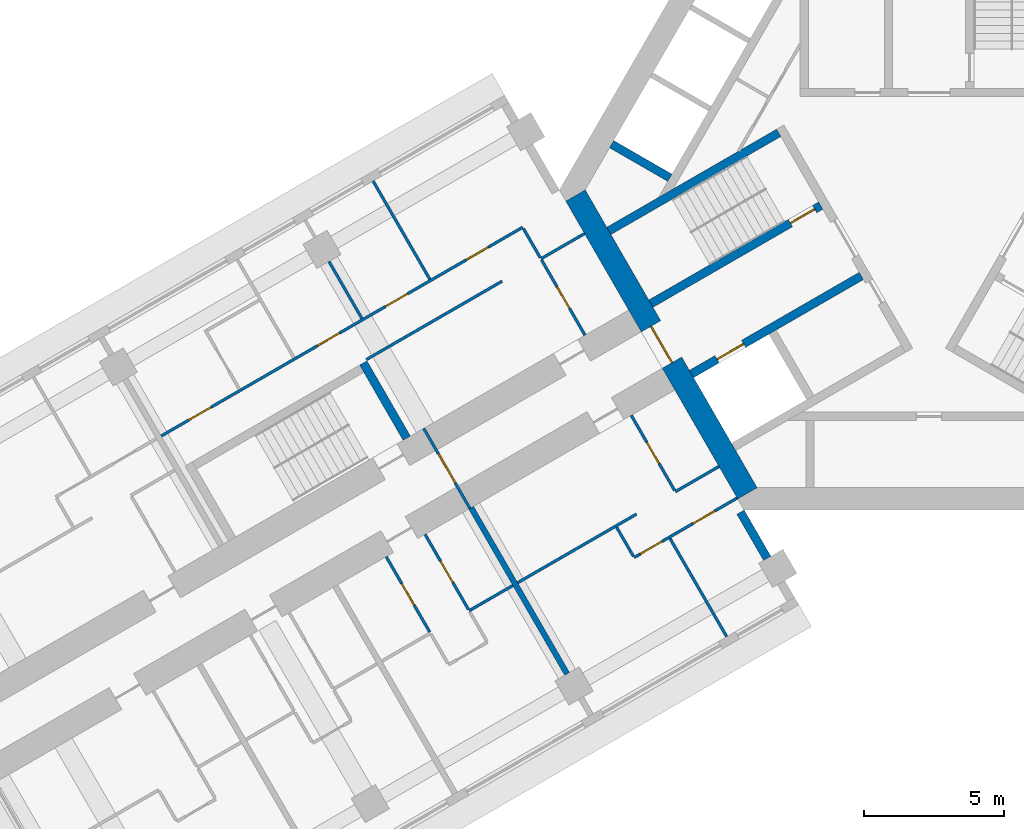
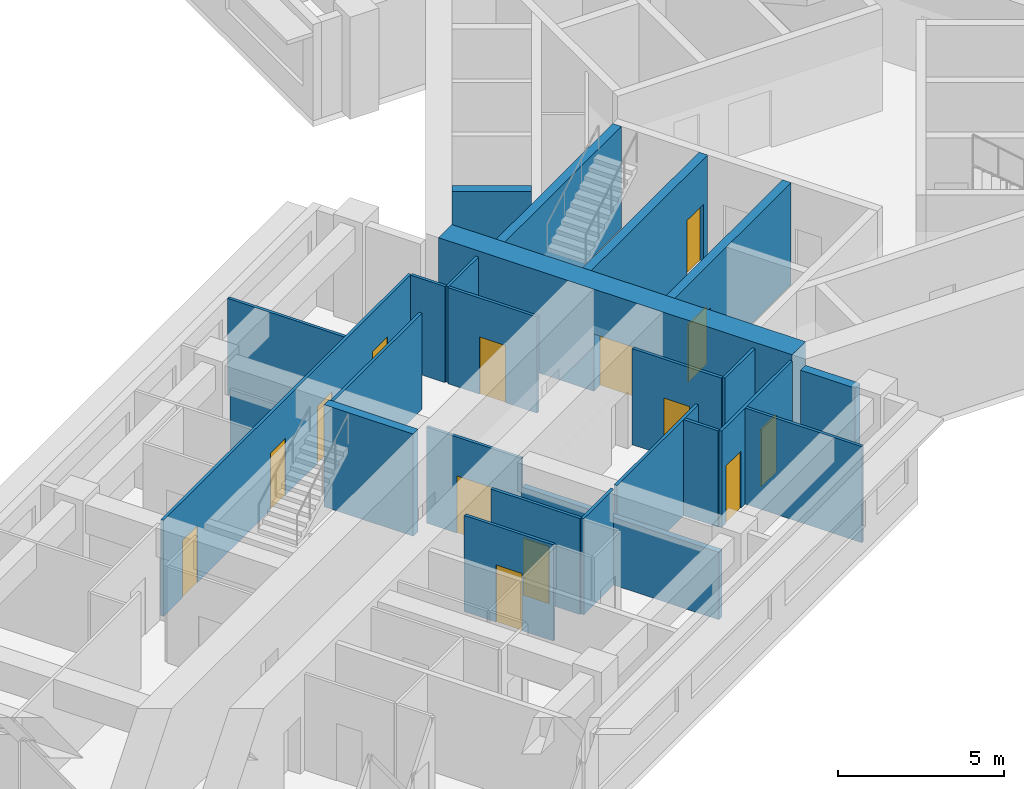
# One storey, part 4 of 13: 25 walls, 14 doors, 14 openings.
"""IFC4 building model written with IfcOpenShell, lengths in metres."""

from ifc_helpers import new_model, si_unit, direction, frame, frame_2d, origin, place, context, subcontext, project, spatial, rectangle, extrude, material, layer, layer_set, type_object, element, fill, save


model = new_model("IFC4")

# Units and contexts
model_context = context("Model", 3, precision=1e-05, world=origin(), true_north=direction((0.0, 1.0)))
body_context = subcontext(model_context, "Body", "Model", "MODEL_VIEW")
ifc_project = project(units=[si_unit("LENGTHUNIT", "METRE"), si_unit("AREAUNIT", "SQUARE_METRE"), si_unit("VOLUMEUNIT", "CUBIC_METRE"), si_unit("PLANEANGLEUNIT", "RADIAN"), si_unit("MASSUNIT", "GRAM", prefix="KILO")], contexts=[model_context])

# Site, building, storey
site_placement = place(None, origin())
site = spatial("IfcSite", under=ifc_project, at=site_placement, CompositionType="ELEMENT")
building_placement = place(site_placement, origin())
building = spatial("IfcBuilding", under=site, at=building_placement, Name="Impinga Residences", CompositionType="ELEMENT")
storey_placement = place(building_placement, frame((0.0, 0.0, 139.75)))
storey = spatial("IfcBuildingStorey", under=building, at=storey_placement, Name="L34", CompositionType="ELEMENT", Elevation=139.75)

# Wall, opening, door
ifc_material_1 = material(Name="Concrete blockwork", Category="masonry")
ifc_layer_1 = layer(ifc_material_1, 0.10009765625)
ifc_layer_set_1 = layer_set([ifc_layer_1], Name="CP1 core room partition, blockwork 100")
wall_type_1 = type_object("IfcWallType", Name="CP1 core room partition, blockwork 100", PredefinedType="PARTITIONING", material=ifc_layer_set_1)
wall_1_placement = place(storey_placement, frame((-16.393310546875, -11.369873046875, 0.0), z_axis=(0.0, 0.0, 1.0), x_axis=(-0.499974350878, 0.866040211805, 0.0)))
wall_1 = element("IfcWall", 1, at=wall_1_placement, inside=storey, type_object=wall_type_1, Name="Core room partition, blockwork L34:W:SCR", PredefinedType="PARTITIONING", context=body_context, shape_type="SweptSolid", body=[
    extrude(rectangle(XDim=3.300048828125, YDim=0.10009765625, at=frame_2d((1.64990234375, 0.0))), origin(), (0.0, 0.0, 1.0), 3.530029296875),
])
opening_1_placement = place(wall_1_placement, frame((1.050048828125, 0.0, 0.0)))
opening_1 = element("IfcOpeningElement", 2, at=opening_1_placement, cuts=wall_1, Name="Opening D3", PredefinedType="OPENING", context=body_context, shape_type="SweptSolid", body=[
    extrude(rectangle(XDim=1.199951171875, YDim=2.10009765625, at=frame_2d((0.60009765625, 1.050048828125))), frame((0.0, 0.06005859375, 0.0), z_axis=(0.0, -1.0, 0.0), x_axis=(1.0, 0.0, 0.0)), (0.0, 0.0, 1.0), 0.1201171875),
])
ifc_material_2 = material(Name="Timber door set", Category="wood")
door_type_1 = type_object("IfcDoorType", Name="D3 room door, leaf and a half 1200x2100", OperationType="DOUBLE_SWING_LEFT", PredefinedType="DOOR", material=ifc_material_2)
door_1_placement = place(opening_1_placement, origin())
door_1 = element("IfcDoor", 3, at=door_1_placement, inside=storey, type_object=door_type_1, Name="Corridor smoke door W", OperationType="DOUBLE_SWING_LEFT", OverallHeight=2.10009765625, OverallWidth=1.199951171875, PredefinedType="DOOR", context=body_context, shape_type="SweptSolid", body=[
    extrude(rectangle(XDim=1.199951171875, YDim=2.10009765625, at=frame_2d((0.60009765625, 1.050048828125))), frame((0.0, 0.02490234375, 0.0), z_axis=(0.0, -1.0, 0.0), x_axis=(1.0, 0.0, 0.0)), (0.0, 0.0, 1.0), 0.050048828125),
])
fill(opening_1, door_1)

# Walls
ifc_material_3 = material(Name="Terracotta rainscreen on blockwork", Category="masonry")
ifc_layer_2 = layer(ifc_material_3, 0.300048828125)
ifc_layer_set_2 = layer_set([ifc_layer_2], Name="EW1 external wall, terracotta rainscreen on blockwork 300")
wall_type_2 = type_object("IfcWallType", Name="EW1 external wall, terracotta rainscreen on blockwork 300", PredefinedType="SOLIDWALL", material=ifc_layer_set_2)
wall_2_placement = place(storey_placement, frame((-6.72998046875, -11.506591796875, 0.0), z_axis=(0.0, 0.0, 1.0), x_axis=(0.500063520245, -0.865988727248, 0.0)))
element("IfcWall", 4, at=wall_2_placement, inside=storey, type_object=wall_type_2, Name="External wall EW1 L34", PredefinedType="SOLIDWALL", context=body_context, shape_type="SweptSolid", body=[
    extrude(rectangle(XDim=1.900146484375, YDim=0.300048828125, at=frame_2d((0.9501953125, 0.0))), origin(), (0.0, 0.0, 1.0), 3.530029296875),
])
ifc_material_4 = material(Name="Gypsum board on steel studs", Category="steel")
ifc_layer_3 = layer(ifc_material_4, 0.10009765625)
ifc_layer_set_3 = layer_set([ifc_layer_3], Name="Gypsum board on steel studs")
wall_type_3 = type_object("IfcWallType", Name="IP1 partition 100", PredefinedType="PARTITIONING", material=ifc_layer_set_3)
wall_3_placement = place(storey_placement, frame((-7.5, -9.872802734375, 0.0), z_axis=(0.0, 0.0, 1.0), x_axis=(-0.866047807691, -0.499961193289, 0.0)))
element("IfcWall", 5, at=wall_3_placement, inside=storey, type_object=wall_type_3, Name="Partition L34-WA1:DIV0", PredefinedType="PARTITIONING", context=body_context, shape_type="SweptSolid", body=[
    extrude(rectangle(XDim=1.800048828125, YDim=0.10009765625, at=frame_2d((0.89990234375, 0.0))), origin(), (0.0, 0.0, 1.0), 3.530029296875),
])
wall_4_placement = place(storey_placement, frame((-10.444580078125, -11.57275390625, 0.0), z_axis=(0.0, 0.0, 1.0), x_axis=(-0.866023786258, -0.500002801628, 0.0)))
element("IfcWall", 6, at=wall_4_placement, inside=storey, type_object=wall_type_3, Name="Partition L34-WA1:DIV1", PredefinedType="PARTITIONING", context=body_context, shape_type="SweptSolid", body=[
    extrude(rectangle(XDim=4.89990234375, YDim=0.10009765625, at=frame_2d((2.449951171875, 0.0))), origin(), (0.0, 0.0, 1.0), 3.530029296875),
])

# Wall, openings, doors
wall_5_placement = place(storey_placement, frame((-6.85009765625, -10.99853515625, 0.0), z_axis=(0.0, 0.0, 1.0), x_axis=(-0.866014341725, -0.50001915956, 0.0)))
wall_5 = element("IfcWall", 7, at=wall_5_placement, inside=storey, type_object=wall_type_3, Name="Partition L34-WA1:STRIP", PredefinedType="PARTITIONING", context=body_context, shape_type="SweptSolid", body=[
    extrude(rectangle(XDim=4.249755859375, YDim=0.10009765625, at=frame_2d((2.125, 0.0))), origin(), (0.0, 0.0, 1.0), 3.530029296875),
])
opening_2_placement = place(wall_5_placement, frame((0.925048828125, 0.0, 0.0)))
opening_2 = element("IfcOpeningElement", 8, at=opening_2_placement, cuts=wall_5, Name="Opening D2", PredefinedType="OPENING", context=body_context, shape_type="SweptSolid", body=[
    extrude(rectangle(XDim=0.89990234375, YDim=2.10009765625, at=frame_2d((0.449951171875, 1.050048828125))), frame((0.0, 0.06005859375, 0.0), z_axis=(0.0, -1.0, 0.0), x_axis=(1.0, 0.0, 0.0)), (0.0, 0.0, 1.0), 0.1201171875),
])
opening_3_placement = place(wall_5_placement, frame((3.10009765625, 0.0, 0.0)))
opening_3 = element("IfcOpeningElement", 9, at=opening_3_placement, cuts=wall_5, Name="Opening D2", PredefinedType="OPENING", context=body_context, shape_type="SweptSolid", body=[
    extrude(rectangle(XDim=0.89990234375, YDim=2.10009765625, at=frame_2d((0.449951171875, 1.050048828125))), frame((0.0, 0.06005859375, 0.0), z_axis=(0.0, -1.0, 0.0), x_axis=(1.0, 0.0, 0.0)), (0.0, 0.0, 1.0), 0.1201171875),
])
door_type_2 = type_object("IfcDoorType", Name="D2 internal door 900x2100", OperationType="SINGLE_SWING_LEFT", PredefinedType="DOOR", material=ifc_material_2)
door_2_placement = place(opening_2_placement, origin())
door_2 = element("IfcDoor", 10, at=door_2_placement, inside=storey, type_object=door_type_2, Name="Apartment L34-WA1 room door", OperationType="SINGLE_SWING_LEFT", OverallHeight=2.10009765625, OverallWidth=0.89990234375, PredefinedType="DOOR", context=body_context, shape_type="SweptSolid", body=[
    extrude(rectangle(XDim=0.89990234375, YDim=2.10009765625, at=frame_2d((0.449951171875, 1.050048828125))), frame((0.0, 0.02490234375, 0.0), z_axis=(0.0, -1.0, 0.0), x_axis=(1.0, 0.0, 0.0)), (0.0, 0.0, 1.0), 0.050048828125),
])
fill(opening_2, door_2)
door_3_placement = place(opening_3_placement, origin())
door_3 = element("IfcDoor", 11, at=door_3_placement, inside=storey, type_object=door_type_2, Name="Apartment L34-WA1 room door", OperationType="SINGLE_SWING_RIGHT", OverallHeight=2.10009765625, OverallWidth=0.89990234375, PredefinedType="DOOR", context=body_context, shape_type="SweptSolid", body=[
    extrude(rectangle(XDim=0.89990234375, YDim=2.10009765625, at=frame_2d((0.449951171875, 1.050048828125))), frame((0.0, 0.02490234375, 0.0), z_axis=(0.0, -1.0, 0.0), x_axis=(1.0, 0.0, 0.0)), (0.0, 0.0, 1.0), 0.050048828125),
])
fill(opening_3, door_3)

# Wall
wall_6_placement = place(storey_placement, frame((-11.155517578125, -12.041015625, 0.0), z_axis=(0.0, 0.0, 1.0), x_axis=(0.499880961361, -0.866094119867, 0.0)))
element("IfcWall", 12, at=wall_6_placement, inside=storey, type_object=wall_type_3, Name="Partition L34-WA1:SE1", PredefinedType="PARTITIONING", context=body_context, shape_type="SweptSolid", body=[
    extrude(rectangle(XDim=1.199951171875, YDim=0.10009765625, at=frame_2d((0.60009765625, 0.0))), origin(), (0.0, 0.0, 1.0), 3.530029296875),
])

# Wall, opening, door
wall_7_placement = place(storey_placement, frame((-10.6337890625, -8.044677734375, 0.0), z_axis=(0.0, 0.0, 1.0), x_axis=(0.49999285859, -0.86602952684, 0.0)))
wall_7 = element("IfcWall", 13, at=wall_7_placement, inside=storey, type_object=wall_type_3, Name="Partition L34-WA1:IB1", PredefinedType="PARTITIONING", context=body_context, shape_type="SweptSolid", body=[
    extrude(rectangle(XDim=3.10009765625, YDim=0.10009765625, at=frame_2d((1.550048828125, 0.0))), origin(), (0.0, 0.0, 1.0), 3.530029296875),
])
opening_4_placement = place(wall_7_placement, frame((1.10009765625, 0.0, 0.0)))
opening_4 = element("IfcOpeningElement", 14, at=opening_4_placement, cuts=wall_7, Name="Opening D2", PredefinedType="OPENING", context=body_context, shape_type="SweptSolid", body=[
    extrude(rectangle(XDim=0.89990234375, YDim=2.10009765625, at=frame_2d((0.449951171875, 1.050048828125))), frame((0.0, 0.06005859375, 0.0), z_axis=(0.0, -1.0, 0.0), x_axis=(1.0, 0.0, 0.0)), (0.0, 0.0, 1.0), 0.1201171875),
])
door_4_placement = place(opening_4_placement, origin())
door_4 = element("IfcDoor", 15, at=door_4_placement, inside=storey, type_object=door_type_2, Name="Apartment L34-WA1 bathroom door", OperationType="SINGLE_SWING_LEFT", OverallHeight=2.10009765625, OverallWidth=0.89990234375, PredefinedType="DOOR", context=body_context, shape_type="SweptSolid", body=[
    extrude(rectangle(XDim=0.89990234375, YDim=2.10009765625, at=frame_2d((0.449951171875, 1.050048828125))), frame((0.0, 0.02490234375, 0.0), z_axis=(0.0, -1.0, 0.0), x_axis=(1.0, 0.0, 0.0)), (0.0, 0.0, 1.0), 0.050048828125),
])
fill(opening_4, door_4)

# Walls
wall_8_placement = place(storey_placement, frame((-9.249755859375, -12.44189453125, 0.0), z_axis=(0.0, 0.0, 1.0), x_axis=(0.499990325971, -0.866030989016, 0.0)))
element("IfcWall", 16, at=wall_8_placement, inside=storey, type_object=wall_type_3, Name="Partition L34-WA1:OB1", PredefinedType="PARTITIONING", context=body_context, shape_type="SweptSolid", body=[
    extrude(rectangle(XDim=4.0498046875, YDim=0.10009765625, at=frame_2d((2.02490234375, 0.0))), origin(), (0.0, 0.0, 1.0), 3.530029296875),
])
wall_9_placement = place(storey_placement, frame((-14.861328125, -14.122802734375, 0.0), z_axis=(0.0, 0.0, 1.0), x_axis=(-0.866047807691, -0.499961193289, 0.0)))
element("IfcWall", 17, at=wall_9_placement, inside=storey, type_object=wall_type_3, Name="Partition L34-WA2:DIV0", PredefinedType="PARTITIONING", context=body_context, shape_type="SweptSolid", body=[
    extrude(rectangle(XDim=1.800048828125, YDim=0.10009765625, at=frame_2d((0.89990234375, 0.0))), origin(), (0.0, 0.0, 1.0), 3.530029296875),
])

# Wall, opening, door
wall_10_placement = place(storey_placement, frame((-17.9951171875, -12.294677734375, 0.0), z_axis=(0.0, 0.0, 1.0), x_axis=(0.49999285859, -0.86602952684, 0.0)))
wall_10 = element("IfcWall", 18, at=wall_10_placement, inside=storey, type_object=wall_type_3, Name="Partition L34-WA2:IB1", PredefinedType="PARTITIONING", context=body_context, shape_type="SweptSolid", body=[
    extrude(rectangle(XDim=3.10009765625, YDim=0.10009765625, at=frame_2d((1.550048828125, 0.0))), origin(), (0.0, 0.0, 1.0), 3.530029296875),
])
opening_5_placement = place(wall_10_placement, frame((1.10009765625, 0.0, 0.0)))
opening_5 = element("IfcOpeningElement", 19, at=opening_5_placement, cuts=wall_10, Name="Opening D2", PredefinedType="OPENING", context=body_context, shape_type="SweptSolid", body=[
    extrude(rectangle(XDim=0.89990234375, YDim=2.10009765625, at=frame_2d((0.449951171875, 1.050048828125))), frame((0.0, 0.06005859375, 0.0), z_axis=(0.0, -1.0, 0.0), x_axis=(1.0, 0.0, 0.0)), (0.0, 0.0, 1.0), 0.1201171875),
])
door_5_placement = place(opening_5_placement, origin())
door_5 = element("IfcDoor", 20, at=door_5_placement, inside=storey, type_object=door_type_2, Name="Apartment L34-WA2 bathroom door", OperationType="SINGLE_SWING_LEFT", OverallHeight=2.10009765625, OverallWidth=0.89990234375, PredefinedType="DOOR", context=body_context, shape_type="SweptSolid", body=[
    extrude(rectangle(XDim=0.89990234375, YDim=2.10009765625, at=frame_2d((0.449951171875, 1.050048828125))), frame((0.0, 0.02490234375, 0.0), z_axis=(0.0, -1.0, 0.0), x_axis=(1.0, 0.0, 0.0)), (0.0, 0.0, 1.0), 0.050048828125),
])
fill(opening_5, door_5)

wall_11_placement = place(storey_placement, frame((-19.380615234375, -13.0947265625, 0.0), z_axis=(0.0, 0.0, 1.0), x_axis=(0.499967891604, -0.866043940782, 0.0)))
wall_11 = element("IfcWall", 21, at=wall_11_placement, inside=storey, type_object=wall_type_3, Name="Partition L34-WA2:IB2", PredefinedType="PARTITIONING", context=body_context, shape_type="SweptSolid", body=[
    extrude(rectangle(XDim=3.099853515625, YDim=0.10009765625, at=frame_2d((1.5498046875, 0.0))), origin(), (0.0, 0.0, 1.0), 3.530029296875),
])
opening_6_placement = place(wall_11_placement, frame((1.10009765625, 0.0, 0.0)))
opening_6 = element("IfcOpeningElement", 22, at=opening_6_placement, cuts=wall_11, Name="Opening D2", PredefinedType="OPENING", context=body_context, shape_type="SweptSolid", body=[
    extrude(rectangle(XDim=0.89990234375, YDim=2.10009765625, at=frame_2d((0.449951171875, 1.050048828125))), frame((0.0, 0.06005859375, 0.0), z_axis=(0.0, -1.0, 0.0), x_axis=(1.0, 0.0, 0.0)), (0.0, 0.0, 1.0), 0.1201171875),
])
door_6_placement = place(opening_6_placement, origin())
door_6 = element("IfcDoor", 23, at=door_6_placement, inside=storey, type_object=door_type_2, Name="Apartment L34-WA2 WC door", OperationType="SINGLE_SWING_LEFT", OverallHeight=2.10009765625, OverallWidth=0.89990234375, PredefinedType="DOOR", context=body_context, shape_type="SweptSolid", body=[
    extrude(rectangle(XDim=0.89990234375, YDim=2.10009765625, at=frame_2d((0.449951171875, 1.050048828125))), frame((0.0, 0.02490234375, 0.0), z_axis=(0.0, -1.0, 0.0), x_axis=(1.0, 0.0, 0.0)), (0.0, 0.0, 1.0), 0.050048828125),
])
fill(opening_6, door_6)

# Walls
wall_12_placement = place(storey_placement, frame((-12.300048828125, -1.558837890625, 0.0), z_axis=(0.0, 0.0, 1.0), x_axis=(-0.866047807691, -0.499961193289, 0.0)))
element("IfcWall", 24, at=wall_12_placement, inside=storey, type_object=wall_type_3, Name="Partition L34-WF1:DIV0", PredefinedType="PARTITIONING", context=body_context, shape_type="SweptSolid", body=[
    extrude(rectangle(XDim=1.800048828125, YDim=0.10009765625, at=frame_2d((0.89990234375, 0.0))), origin(), (0.0, 0.0, 1.0), 3.530029296875),
])
wall_13_placement = place(storey_placement, frame((-15.244384765625, -3.2587890625, 0.0), z_axis=(0.0, 0.0, 1.0), x_axis=(-0.866026594901, -0.49999793692, 0.0)))
element("IfcWall", 25, at=wall_13_placement, inside=storey, type_object=wall_type_3, Name="Partition L34-WF1:DIV1", PredefinedType="PARTITIONING", context=body_context, shape_type="SweptSolid", body=[
    extrude(rectangle(XDim=5.60009765625, YDim=0.10009765625, at=frame_2d((2.800048828125, 0.0))), origin(), (0.0, 0.0, 1.0), 3.530029296875),
])

# Wall, openings, doors
wall_14_placement = place(storey_placement, frame((-14.5087890625, -1.3330078125, 0.0), z_axis=(0.0, 0.0, 1.0), x_axis=(-0.866027327438, -0.499996668119, 0.0)))
wall_14 = element("IfcWall", 26, at=wall_14_placement, inside=storey, type_object=wall_type_3, Name="Partition L34-WF1:STRIP", PredefinedType="PARTITIONING", context=body_context, shape_type="SweptSolid", body=[
    extrude(rectangle(XDim=14.89990234375, YDim=0.10009765625, at=frame_2d((7.449951171875, 0.0))), origin(), (0.0, 0.0, 1.0), 3.530029296875),
])
opening_7_placement = place(wall_14_placement, frame((1.425048828125, 0.0, 0.0)))
opening_7 = element("IfcOpeningElement", 27, at=opening_7_placement, cuts=wall_14, Name="Opening D2", PredefinedType="OPENING", context=body_context, shape_type="SweptSolid", body=[
    extrude(rectangle(XDim=0.89990234375, YDim=2.10009765625, at=frame_2d((0.449951171875, 1.050048828125))), frame((0.0, 0.06005859375, 0.0), z_axis=(0.0, -1.0, 0.0), x_axis=(1.0, 0.0, 0.0)), (0.0, 0.0, 1.0), 0.1201171875),
])
opening_8_placement = place(wall_14_placement, frame((4.75, 0.0, 0.0)))
opening_8 = element("IfcOpeningElement", 28, at=opening_8_placement, cuts=wall_14, Name="Opening D2", PredefinedType="OPENING", context=body_context, shape_type="SweptSolid", body=[
    extrude(rectangle(XDim=0.89990234375, YDim=2.10009765625, at=frame_2d((0.449951171875, 1.050048828125))), frame((0.0, 0.06005859375, 0.0), z_axis=(0.0, -1.0, 0.0), x_axis=(1.0, 0.0, 0.0)), (0.0, 0.0, 1.0), 0.1201171875),
])
opening_9_placement = place(wall_14_placement, frame((7.550048828125, 0.0, 0.0)))
opening_9 = element("IfcOpeningElement", 29, at=opening_9_placement, cuts=wall_14, Name="Opening D2", PredefinedType="OPENING", context=body_context, shape_type="SweptSolid", body=[
    extrude(rectangle(XDim=0.89990234375, YDim=2.10009765625, at=frame_2d((0.449951171875, 1.050048828125))), frame((0.0, 0.06005859375, 0.0), z_axis=(0.0, -1.0, 0.0), x_axis=(1.0, 0.0, 0.0)), (0.0, 0.0, 1.0), 0.1201171875),
])
opening_10_placement = place(wall_14_placement, frame((12.85009765625, 0.0, 0.0)))
opening_10 = element("IfcOpeningElement", 30, at=opening_10_placement, cuts=wall_14, Name="Opening D2", PredefinedType="OPENING", context=body_context, shape_type="SweptSolid", body=[
    extrude(rectangle(XDim=0.89990234375, YDim=2.10009765625, at=frame_2d((0.449951171875, 1.050048828125))), frame((0.0, 0.06005859375, 0.0), z_axis=(0.0, -1.0, 0.0), x_axis=(1.0, 0.0, 0.0)), (0.0, 0.0, 1.0), 0.1201171875),
])
door_7_placement = place(opening_7_placement, origin())
door_7 = element("IfcDoor", 31, at=door_7_placement, inside=storey, type_object=door_type_2, Name="Apartment L34-WF1 room door", OperationType="SINGLE_SWING_LEFT", OverallHeight=2.10009765625, OverallWidth=0.89990234375, PredefinedType="DOOR", context=body_context, shape_type="SweptSolid", body=[
    extrude(rectangle(XDim=0.89990234375, YDim=2.10009765625, at=frame_2d((0.449951171875, 1.050048828125))), frame((0.0, 0.02490234375, 0.0), z_axis=(0.0, -1.0, 0.0), x_axis=(1.0, 0.0, 0.0)), (0.0, 0.0, 1.0), 0.050048828125),
])
fill(opening_7, door_7)
door_8_placement = place(opening_8_placement, origin())
door_8 = element("IfcDoor", 32, at=door_8_placement, inside=storey, type_object=door_type_2, Name="Apartment L34-WF1 room door", OperationType="SINGLE_SWING_LEFT", OverallHeight=2.10009765625, OverallWidth=0.89990234375, PredefinedType="DOOR", context=body_context, shape_type="SweptSolid", body=[
    extrude(rectangle(XDim=0.89990234375, YDim=2.10009765625, at=frame_2d((0.449951171875, 1.050048828125))), frame((0.0, 0.02490234375, 0.0), z_axis=(0.0, -1.0, 0.0), x_axis=(1.0, 0.0, 0.0)), (0.0, 0.0, 1.0), 0.050048828125),
])
fill(opening_8, door_8)
door_9_placement = place(opening_9_placement, origin())
door_9 = element("IfcDoor", 33, at=door_9_placement, inside=storey, type_object=door_type_2, Name="Apartment L34-WF1 room door", OperationType="SINGLE_SWING_RIGHT", OverallHeight=2.10009765625, OverallWidth=0.89990234375, PredefinedType="DOOR", context=body_context, shape_type="SweptSolid", body=[
    extrude(rectangle(XDim=0.89990234375, YDim=2.10009765625, at=frame_2d((0.449951171875, 1.050048828125))), frame((0.0, 0.02490234375, 0.0), z_axis=(0.0, -1.0, 0.0), x_axis=(1.0, 0.0, 0.0)), (0.0, 0.0, 1.0), 0.050048828125),
])
fill(opening_9, door_9)
door_10_placement = place(opening_10_placement, origin())
door_10 = element("IfcDoor", 34, at=door_10_placement, inside=storey, type_object=door_type_2, Name="Apartment L34-WF1 room door", OperationType="SINGLE_SWING_RIGHT", OverallHeight=2.10009765625, OverallWidth=0.89990234375, PredefinedType="DOOR", context=body_context, shape_type="SweptSolid", body=[
    extrude(rectangle(XDim=0.89990234375, YDim=2.10009765625, at=frame_2d((0.449951171875, 1.050048828125))), frame((0.0, 0.02490234375, 0.0), z_axis=(0.0, -1.0, 0.0), x_axis=(1.0, 0.0, 0.0)), (0.0, 0.0, 1.0), 0.050048828125),
])
fill(opening_10, door_10)

# Wall
wall_15_placement = place(storey_placement, frame((-13.8837890625, -2.41552734375, 0.0), z_axis=(0.0, 0.0, 1.0), x_axis=(-0.500033551112, 0.866006032174, 0.0)))
element("IfcWall", 35, at=wall_15_placement, inside=storey, type_object=wall_type_3, Name="Partition L34-WF1:SE0", PredefinedType="PARTITIONING", context=body_context, shape_type="SweptSolid", body=[
    extrude(rectangle(XDim=1.2001953125, YDim=0.10009765625, at=frame_2d((0.60009765625, 0.0))), origin(), (0.0, 0.0, 1.0), 3.530029296875),
])

# Wall, opening, door
wall_16_placement = place(storey_placement, frame((-12.283935546875, -5.186767578125, 0.0), z_axis=(0.0, 0.0, 1.0), x_axis=(-0.499967891604, 0.866043940782, 0.0)))
wall_16 = element("IfcWall", 36, at=wall_16_placement, inside=storey, type_object=wall_type_3, Name="Partition L34-WF1:IB1", PredefinedType="PARTITIONING", context=body_context, shape_type="SweptSolid", body=[
    extrude(rectangle(XDim=3.099853515625, YDim=0.10009765625, at=frame_2d((1.5498046875, 0.0))), origin(), (0.0, 0.0, 1.0), 3.530029296875),
])
opening_11_placement = place(wall_16_placement, frame((1.10009765625, 0.0, 0.0)))
opening_11 = element("IfcOpeningElement", 37, at=opening_11_placement, cuts=wall_16, Name="Opening D2", PredefinedType="OPENING", context=body_context, shape_type="SweptSolid", body=[
    extrude(rectangle(XDim=0.89990234375, YDim=2.10009765625, at=frame_2d((0.449951171875, 1.050048828125))), frame((0.0, 0.06005859375, 0.0), z_axis=(0.0, -1.0, 0.0), x_axis=(1.0, 0.0, 0.0)), (0.0, 0.0, 1.0), 0.1201171875),
])
door_11_placement = place(opening_11_placement, origin())
door_11 = element("IfcDoor", 38, at=door_11_placement, inside=storey, type_object=door_type_2, Name="Apartment L34-WF1 bathroom door", OperationType="SINGLE_SWING_LEFT", OverallHeight=2.10009765625, OverallWidth=0.89990234375, PredefinedType="DOOR", context=body_context, shape_type="SweptSolid", body=[
    extrude(rectangle(XDim=0.89990234375, YDim=2.10009765625, at=frame_2d((0.449951171875, 1.050048828125))), frame((0.0, 0.02490234375, 0.0), z_axis=(0.0, -1.0, 0.0), x_axis=(1.0, 0.0, 0.0)), (0.0, 0.0, 1.0), 0.050048828125),
])
fill(opening_11, door_11)

# Walls
wall_17_placement = place(storey_placement, frame((-17.82470703125, -3.189697265625, 0.0), z_axis=(0.0, 0.0, 1.0), x_axis=(-0.500035537042, 0.866004885491, 0.0)))
element("IfcWall", 39, at=wall_17_placement, inside=storey, type_object=wall_type_3, Name="Partition L34-WF1:OB1", PredefinedType="PARTITIONING", context=body_context, shape_type="SweptSolid", body=[
    extrude(rectangle(XDim=4.050048828125, YDim=0.10009765625, at=frame_2d((2.02490234375, 0.0))), origin(), (0.0, 0.0, 1.0), 3.530029296875),
])
wall_18_placement = place(storey_placement, frame((-20.24951171875, -4.589599609375, 0.0), z_axis=(0.0, 0.0, 1.0), x_axis=(-0.500016218704, 0.866016039709, 0.0)))
element("IfcWall", 40, at=wall_18_placement, inside=storey, type_object=wall_type_3, Name="Partition L34-WF1:OB2", PredefinedType="PARTITIONING", context=body_context, shape_type="SweptSolid", body=[
    extrude(rectangle(XDim=2.35009765625, YDim=0.10009765625, at=frame_2d((1.175048828125, 0.0))), origin(), (0.0, 0.0, 1.0), 2.47998046875),
])
ifc_layer_4 = layer(ifc_material_1, 0.199951171875)
ifc_layer_set_4 = layer_set([ifc_layer_4], Name="PW1 party wall between apartments 200")
wall_type_4 = type_object("IfcWallType", Name="PW1 party wall between apartments 200", PredefinedType="SOLIDWALL", material=ifc_layer_set_4)
wall_19_placement = place(storey_placement, frame((-16.349609375, -11.3447265625, 0.0), z_axis=(0.0, 0.0, 1.0), x_axis=(0.499999086063, -0.866025931445, 0.0)))
element("IfcWall", 41, at=wall_19_placement, inside=storey, type_object=wall_type_4, Name="Party wall between apartments L34-WA1:PARTY", PredefinedType="SOLIDWALL", context=body_context, shape_type="SweptSolid", body=[
    extrude(rectangle(XDim=6.85009765625, YDim=0.199951171875, at=frame_2d((3.425048828125, 0.0))), origin(), (0.0, 0.0, 1.0), 2.47998046875),
])
ifc_material_5 = material(Name="Concrete C60/75", Category="concrete")
ifc_layer_5 = layer(ifc_material_5, 0.300048828125)
ifc_layer_set_5 = layer_set([ifc_layer_5], Name="Concrete C60/75")
wall_type_5 = type_object("IfcWallType", Name="SE1 wing stair enclosure wall 300", PredefinedType="SOLIDWALL", material=ifc_layer_set_5)
wall_20_placement = place(storey_placement, frame((-18.649169921875, -8.86181640625, 0.0), z_axis=(0.0, 0.0, 1.0), x_axis=(-0.500026960575, 0.86600983753, 0.0)))
element("IfcWall", 42, at=wall_20_placement, inside=storey, type_object=wall_type_5, Name="Stair enclosure wall SE1 W END0 L34", PredefinedType="SOLIDWALL", context=body_context, shape_type="SweptSolid", body=[
    extrude(rectangle(XDim=3.099853515625, YDim=0.300048828125, at=frame_2d((1.5498046875, 0.0))), origin(), (0.0, 0.0, 1.0), 3.75),
])

# Wall, opening, door
ifc_layer_6 = layer(ifc_material_5, 0.800048828125)
ifc_layer_set_6 = layer_set([ifc_layer_6], Name="Concrete C60/75")
wall_type_6 = type_object("IfcWallType", Name="SW2 core wall 800", PredefinedType="SHEAR", material=ifc_layer_set_6)
wall_21_placement = place(storey_placement, frame((-6.484619140625, -10.83154296875, 0.0), z_axis=(0.0, 0.0, 1.0), x_axis=(-0.499986991068, 0.866032914365, 0.0)))
wall_21 = element("IfcWall", 43, at=wall_21_placement, inside=storey, type_object=wall_type_6, Name="Core wall SW2 W:FACE L34", PredefinedType="SHEAR", context=body_context, shape_type="SweptSolid", body=[
    extrude(rectangle(XDim=12.276123046875, YDim=0.800048828125, at=frame_2d((6.13818359375, 0.0))), origin(), (0.0, 0.0, 1.0), 3.75),
])
opening_12_placement = place(wall_21_placement, frame((5.38818359375, 0.0, 0.0)))
opening_12 = element("IfcOpeningElement", 44, at=opening_12_placement, cuts=wall_21, Name="Opening D4", PredefinedType="OPENING", context=body_context, shape_type="SweptSolid", body=[
    extrude(rectangle(XDim=1.5, YDim=2.10009765625, at=frame_2d((0.75, 1.050048828125))), frame((0.0, 0.409912109375, 0.0), z_axis=(0.0, -1.0, 0.0), x_axis=(1.0, 0.0, 0.0)), (0.0, 0.0, 1.0), 0.820068359375),
])
door_type_3 = type_object("IfcDoorType", Name="D4 lobby door pair 1500x2100", OperationType="DOUBLE_DOOR_DOUBLE_SWING", PredefinedType="DOOR", material=ifc_material_2)
door_12_placement = place(opening_12_placement, origin())
door_12 = element("IfcDoor", 45, at=door_12_placement, inside=storey, type_object=door_type_3, Name="Lobby door W", OperationType="DOUBLE_DOOR_DOUBLE_SWING", OverallHeight=2.10009765625, OverallWidth=1.5, PredefinedType="DOOR", context=body_context, shape_type="SweptSolid", body=[
    extrude(rectangle(XDim=1.5, YDim=2.10009765625, at=frame_2d((0.75, 1.050048828125))), frame((0.0, 0.02490234375, 0.0), z_axis=(0.0, -1.0, 0.0), x_axis=(1.0, 0.0, 0.0)), (0.0, 0.0, 1.0), 0.050048828125),
])
fill(opening_12, door_12)

ifc_material_6 = material(Name="Concrete C70/85", Category="concrete")
ifc_layer_7 = layer(ifc_material_6, 0.300048828125)
ifc_layer_set_7 = layer_set([ifc_layer_7], Name="Concrete C70/85")
wall_type_7 = type_object("IfcWallType", Name="SW5 core inner wall, stairs, shafts and lobbies 300", PredefinedType="SHEAR", material=ifc_layer_set_7)
wall_22_placement = place(storey_placement, frame((-3.86865234375, -0.559326171875, 0.0), z_axis=(0.0, 0.0, 1.0), x_axis=(-0.866026480128, -0.499998135713, 0.0)))
wall_22 = element("IfcWall", 46, at=wall_22_placement, inside=storey, type_object=wall_type_7, Name="Core wall SW5 W:ST-IN L34", PredefinedType="SHEAR", context=body_context, shape_type="SweptSolid", body=[
    extrude(rectangle(XDim=7.00146484375, YDim=0.300048828125, at=frame_2d((3.500732421875, 0.0))), origin(), (0.0, 0.0, 1.0), 3.75),
])
opening_13_placement = place(wall_22_placement, frame((0.25, 0.0, 0.0)))
opening_13 = element("IfcOpeningElement", 47, at=opening_13_placement, cuts=wall_22, Name="Opening D5", PredefinedType="OPENING", context=body_context, shape_type="SweptSolid", body=[
    extrude(rectangle(XDim=1.0, YDim=2.10009765625, at=frame_2d((0.5, 1.050048828125))), frame((0.0, 0.159912109375, 0.0), z_axis=(0.0, -1.0, 0.0), x_axis=(1.0, 0.0, 0.0)), (0.0, 0.0, 1.0), 0.320068359375),
])
door_type_4 = type_object("IfcDoorType", Name="D5 stair door 1000x2100", OperationType="SINGLE_SWING_LEFT", PredefinedType="DOOR", material=ifc_material_2)
door_13_placement = place(opening_13_placement, origin())
door_13 = element("IfcDoor", 48, at=door_13_placement, inside=storey, type_object=door_type_4, Name="Stair door W", OperationType="SINGLE_SWING_LEFT", OverallHeight=2.10009765625, OverallWidth=1.0, PredefinedType="DOOR", context=body_context, shape_type="SweptSolid", body=[
    extrude(rectangle(XDim=1.0, YDim=2.10009765625, at=frame_2d((0.5, 1.050048828125))), frame((0.0, 0.02490234375, 0.0), z_axis=(0.0, -1.0, 0.0), x_axis=(1.0, 0.0, 0.0)), (0.0, 0.0, 1.0), 0.050048828125),
])
fill(opening_13, door_13)

# Wall
wall_23_placement = place(storey_placement, frame((-5.36865234375, 2.038818359375, 0.0), z_axis=(0.0, 0.0, 1.0), x_axis=(-0.866026480128, -0.499998135713, 0.0)))
element("IfcWall", 49, at=wall_23_placement, inside=storey, type_object=wall_type_7, Name="Core wall SW5 W:ST-OUT L34", PredefinedType="SHEAR", context=body_context, shape_type="SweptSolid", body=[
    extrude(rectangle(XDim=7.00146484375, YDim=0.300048828125, at=frame_2d((3.500732421875, 0.0))), origin(), (0.0, 0.0, 1.0), 3.75),
])

# Wall, opening, door
wall_24_placement = place(storey_placement, frame((-2.418701171875, -3.07080078125, 0.0), z_axis=(0.0, 0.0, 1.0), x_axis=(-0.866026480128, -0.499998135713, 0.0)))
wall_24 = element("IfcWall", 50, at=wall_24_placement, inside=storey, type_object=wall_type_7, Name="Core wall SW5 W:FF-IN L34", PredefinedType="SHEAR", context=body_context, shape_type="SweptSolid", body=[
    extrude(rectangle(XDim=7.00146484375, YDim=0.300048828125, at=frame_2d((3.500732421875, 0.0))), origin(), (0.0, 0.0, 1.0), 3.75),
])
opening_14_placement = place(wall_24_placement, frame((4.85009765625, 0.0, 0.0)))
opening_14 = element("IfcOpeningElement", 51, at=opening_14_placement, cuts=wall_24, Name="Opening LD2", PredefinedType="OPENING", context=body_context, shape_type="SweptSolid", body=[
    extrude(rectangle(XDim=1.10009765625, YDim=2.10009765625, at=frame_2d((0.550048828125, 1.050048828125))), frame((0.0, 0.159912109375, 0.0), z_axis=(0.0, -1.0, 0.0), x_axis=(1.0, 0.0, 0.0)), (0.0, 0.0, 1.0), 0.320068359375),
])
ifc_material_7 = material(Name="Steel lift landing door", Category="steel")
door_type_5 = type_object("IfcDoorType", Name="LD2 firefighting lift landing door 1100x2100", OperationType="DOUBLE_DOOR_SLIDING", PredefinedType="DOOR", material=ifc_material_7)
door_14_placement = place(opening_14_placement, origin())
door_14 = element("IfcDoor", 52, at=door_14_placement, inside=storey, type_object=door_type_5, Name="Firefighting lift landing door F2", OperationType="DOUBLE_DOOR_SLIDING", OverallHeight=2.10009765625, OverallWidth=1.10009765625, PredefinedType="DOOR", context=body_context, shape_type="SweptSolid", body=[
    extrude(rectangle(XDim=1.10009765625, YDim=2.10009765625, at=frame_2d((0.550048828125, 1.050048828125))), frame((0.0, 0.02490234375, 0.0), z_axis=(0.0, -1.0, 0.0), x_axis=(1.0, 0.0, 0.0)), (0.0, 0.0, 1.0), 0.050048828125),
])
fill(opening_14, door_14)

# Wall
wall_25_placement = place(storey_placement, frame((-9.253662109375, 0.43505859375, 0.0), z_axis=(0.0, 0.0, 1.0), x_axis=(-0.866006032174, 0.500033551112, 0.0)))
element("IfcWall", 53, at=wall_25_placement, inside=storey, type_object=wall_type_7, Name="Core wall SW5 E:BANK-L L34", PredefinedType="SHEAR", context=body_context, shape_type="SweptSolid", body=[
    extrude(rectangle(XDim=2.400146484375, YDim=0.300048828125, at=frame_2d((1.2001953125, 0.0))), origin(), (0.0, 0.0, 1.0), 3.75),
])

save(model, "model.ifc")
